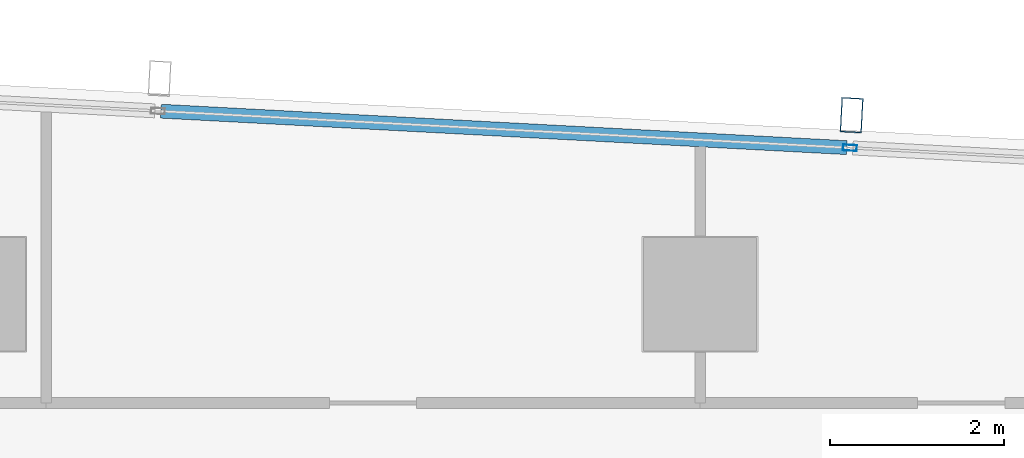
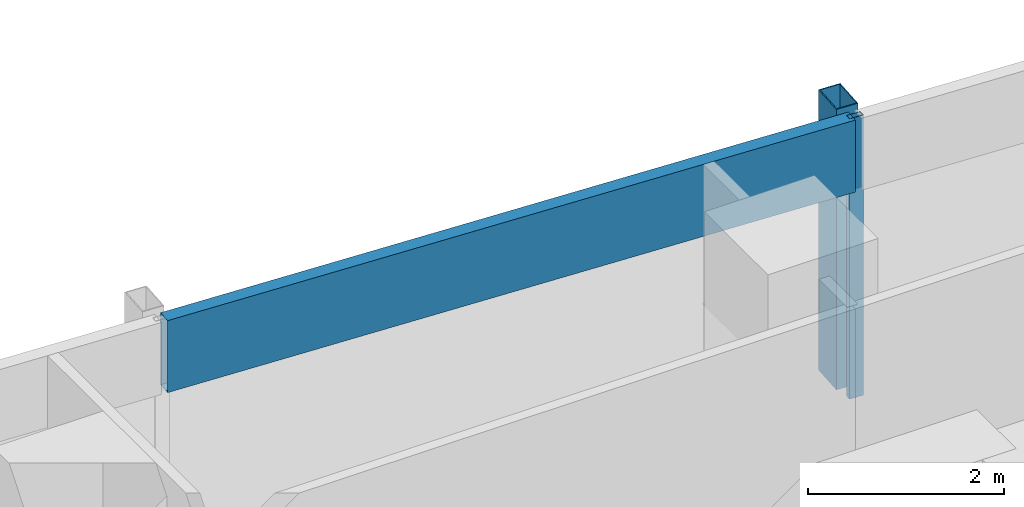
# One storey, part 19 of 29: 3 members, 1 element without a shape of its own.
"""IFC4 building model written with IfcOpenShell, lengths in metres."""

from ifc_helpers import new_model, si_unit, direction, frame, origin, origin_2d, place, context, subcontext, project, spatial, hollow_rectangle, extrude, material, material_profile, profile_set, type_object, element, aggregate, save


model = new_model("IFC4")

# Units and contexts
model_context = context("Model", 3, precision=1e-05, world=origin(), true_north=direction((0.0, 1.0)))
body_context = subcontext(model_context, "Body", "Model", "MODEL_VIEW")
ifc_project = project(units=[si_unit("LENGTHUNIT", "METRE"), si_unit("AREAUNIT", "SQUARE_METRE"), si_unit("VOLUMEUNIT", "CUBIC_METRE"), si_unit("PLANEANGLEUNIT", "RADIAN"), si_unit("MASSUNIT", "GRAM", prefix="KILO")], contexts=[model_context])

# Site, building, storey
site_placement = place(None, origin())
site = spatial("IfcSite", under=ifc_project, at=site_placement, CompositionType="ELEMENT")
building_placement = place(site_placement, origin())
building = spatial("IfcBuilding", under=site, at=building_placement, Name="Rekha Terrace Tower", CompositionType="ELEMENT")
storey_placement = place(building_placement, frame((0.0, 0.0, 261.35009765625)))
storey = spatial("IfcBuildingStorey", under=building, at=storey_placement, Name="L66", CompositionType="ELEMENT", Elevation=261.35009765625)

# Curtain wall, members
ifc_material_1 = material(Name="Aluminium framing", Category="aluminium")
curtain_wall_type = type_object("IfcCurtainWallType", Name="CW3 north unitised glazing", PredefinedType="USERDEFINED", material=ifc_material_1)
curtain_wall_placement = place(storey_placement, origin())
curtain_wall = element("IfcCurtainWall", 1, at=curtain_wall_placement, inside=storey, type_object=curtain_wall_type, Name="CW3 unitised curtain wall", ObjectType="UNITISED CURTAIN WALL", PredefinedType="USERDEFINED")
ifc_material_2 = material(Name="Steel S355 with fluorocarbon finish", Category="steel")
ifc_material_profile_1 = material_profile(ifc_material_2, hollow_rectangle(XDim=0.25, YDim=0.39990234375, WallThickness=0.012451171875, at=origin_2d()), Name="RHS400x250x12.5")
ifc_profile_set_1 = profile_set([ifc_material_profile_1], Name="Steel S355 with fluorocarbon finish")
member_type_1 = type_object("IfcMemberType", Name="BL1 facade blade RHS 400 x 250", PredefinedType="USERDEFINED", material=ifc_profile_set_1)
member_1_placement = place(storey_placement, frame((52.142822265625, 52.456298828125, 0.0), z_axis=(0.0, 0.0, 1.0), x_axis=(-0.998590068481, 0.053083661621, 0.0)))
member_1 = element("IfcMember", 2, at=member_1_placement, type_object=member_type_1, Name="Facade blade", ObjectType="FACADE BLADE", PredefinedType="USERDEFINED", context=body_context, shape_type="SweptSolid", body=[
    extrude(hollow_rectangle(XDim=0.25, YDim=0.39990234375, WallThickness=0.012451171875, at=origin_2d()), origin(), (0.0, 0.0, 1.0), 3.5),
])
ifc_material_3 = material(Name="Aluminium mullion section", Category="aluminium")
ifc_material_profile_2 = material_profile(ifc_material_3, hollow_rectangle(XDim=0.070068359375, YDim=0.159912109375, WallThickness=0.00390625, at=origin_2d()), Name="AL RHS 70x160")
ifc_profile_set_2 = profile_set([ifc_material_profile_2], Name="Aluminium mullion section")
member_type_2 = type_object("IfcMemberType", Name="CW3 mullion RHS 70 x 160", PredefinedType="MULLION", material=ifc_profile_set_2)
member_2_placement = place(storey_placement, frame((52.122802734375, 52.081787109375, 0.0), z_axis=(0.0, 0.0, 1.0), x_axis=(-0.053083275524, -0.998590089005, 0.0)))
member_2 = element("IfcMember", 3, at=member_2_placement, type_object=member_type_2, Name="CW3 mullion 2", PredefinedType="MULLION", context=body_context, shape_type="SweptSolid", body=[
    extrude(hollow_rectangle(XDim=0.070068359375, YDim=0.159912109375, WallThickness=0.00390625, at=origin_2d()), origin(), (0.0, 0.0, 1.0), 3.5),
])
ifc_material_4 = material(Name="Insulated aluminium spandrel box", Category="aluminium")
ifc_material_profile_3 = material_profile(ifc_material_4, hollow_rectangle(XDim=0.159912109375, YDim=0.89990234375, WallThickness=0.0029296875, at=origin_2d()), Name="AL SPANDREL BOX 160x900")
ifc_profile_set_3 = profile_set([ifc_material_profile_3], Name="Insulated aluminium spandrel box")
member_type_3 = type_object("IfcMemberType", Name="CW3 spandrel transom 160 x 900", PredefinedType="USERDEFINED", material=ifc_profile_set_3)
member_3_placement = place(storey_placement, frame((52.087890625, 52.08349609375, 3.0498046875), z_axis=(-0.998589741295, 0.053089816156, 0.0), x_axis=(-0.053089816156, -0.998589741295, 0.0)))
member_3 = element("IfcMember", 4, at=member_3_placement, type_object=member_type_3, Name="CW3 spandrel transom 2", ObjectType="TRANSOM", PredefinedType="USERDEFINED", context=body_context, shape_type="SweptSolid", body=[
    extrude(hollow_rectangle(XDim=0.159912109375, YDim=0.89990234375, WallThickness=0.0029296875, at=origin_2d()), origin(), (0.0, 0.0, 1.0), 7.891357421875),
])
aggregate(curtain_wall, [member_2, member_3, member_1])

save(model, "model.ifc")
